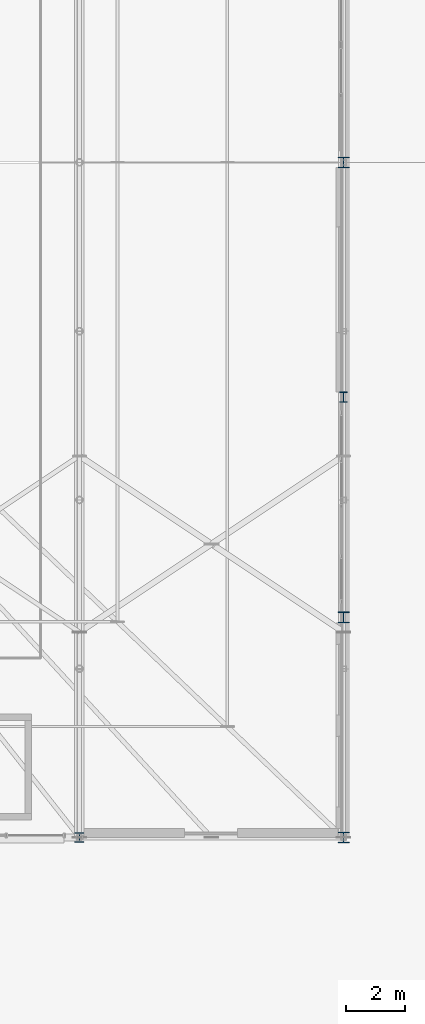
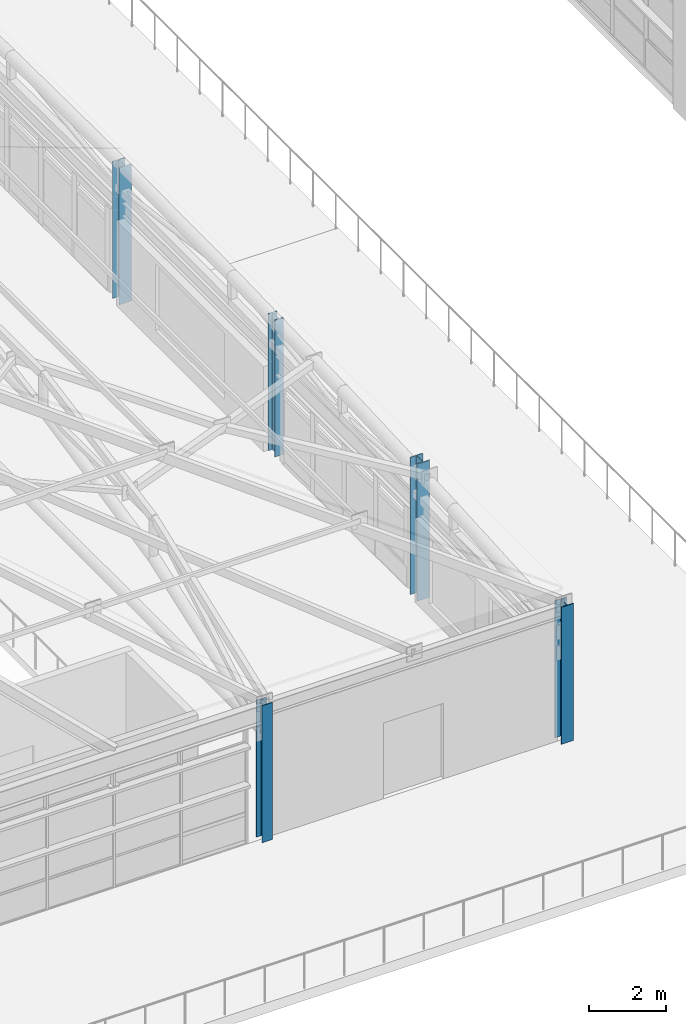
# One storey, part 4 of 168: 5 columns.
"""IFC4 building model written with IfcOpenShell, lengths in metres."""

from ifc_helpers import new_model, si_unit, direction, frame, origin, origin_2d, place, context, subcontext, project, spatial, i_section, extrude, material, material_profile, profile_set, type_object, element, save


model = new_model("IFC4")

# Units and contexts
model_context = context("Model", 3, precision=1e-05, world=origin(), true_north=direction((0.0, 1.0)))
body_context = subcontext(model_context, "Body", "Model", "MODEL_VIEW")
ifc_project = project(units=[si_unit("LENGTHUNIT", "METRE"), si_unit("AREAUNIT", "SQUARE_METRE"), si_unit("VOLUMEUNIT", "CUBIC_METRE"), si_unit("PLANEANGLEUNIT", "RADIAN"), si_unit("MASSUNIT", "GRAM", prefix="KILO"), si_unit("THERMODYNAMICTEMPERATUREUNIT", "KELVIN"), si_unit("POWERUNIT", "WATT")], contexts=[model_context])

# Site, building, storey
site_placement = place(None, origin())
site = spatial("IfcSite", under=ifc_project, at=site_placement, CompositionType="ELEMENT")
building_placement = place(site_placement, origin())
building = spatial("IfcBuilding", under=site, at=building_placement, Name="Tepalcoro Natatorium and Aquatics Centre", CompositionType="ELEMENT")
storey_placement = place(building_placement, frame((0.0, 0.0, 10.199951171875)))
storey = spatial("IfcBuildingStorey", under=building, at=storey_placement, Name="L02", CompositionType="ELEMENT", Elevation=10.199951171875)

# Columns
ifc_material = material(Name="Steel ASTM A992 Grade 50 (Fy 345 MPa)", Category="steel")
ifc_material_profile_1 = material_profile(ifc_material, i_section(OverallWidth=0.306884765625, OverallDepth=0.31494140625, WebThickness=0.011962890625, FlangeThickness=0.01904296875, FilletRadius=0.013916015625, at=origin_2d()), Name="W12X79")
ifc_profile_set_1 = profile_set([ifc_material_profile_1], Name="Steel ASTM A992 Grade 50 (Fy 345 MPa)")
column_type_1 = type_object("IfcColumnType", Name="COL_W12x79", PredefinedType="COLUMN", material=ifc_profile_set_1)
column_1_placement = place(storey_placement, frame((116.0, 13.0, 0.0), z_axis=(0.0, 0.0, 1.0), x_axis=(1.0, 0.0, 0.0)))
element("IfcColumn", 1, at=column_1_placement, inside=storey, type_object=column_type_1, Name="V1 L02 Grid Column (116.0, 13.0)", PredefinedType="COLUMN", context=body_context, shape_type="SweptSolid", body=[
    extrude(i_section(OverallWidth=0.306884765625, OverallDepth=0.31494140625, WebThickness=0.011962890625, FlangeThickness=0.01904296875, FilletRadius=0.013916015625, at=origin_2d()), origin(), (0.0, 0.0, 1.0), 4.35009765625),
])
ifc_material_profile_2 = material_profile(ifc_material, i_section(OverallWidth=0.37109375, OverallDepth=0.363037109375, WebThickness=0.012939453125, FlangeThickness=0.02197265625, FilletRadius=0.013916015625, at=origin_2d()), Name="W14X109")
ifc_profile_set_2 = profile_set([ifc_material_profile_2], Name="Steel ASTM A992 Grade 50 (Fy 345 MPa)")
column_type_2 = type_object("IfcColumnType", Name="COL_W14x109", PredefinedType="COLUMN", material=ifc_profile_set_2)
column_2_placement = place(storey_placement, frame((125.0, 13.0, 0.0), z_axis=(0.0, 0.0, 1.0), x_axis=(1.0, 0.0, 0.0)))
element("IfcColumn", 2, at=column_2_placement, inside=storey, type_object=column_type_2, Name="V1 L02 Grid Column (125.0, 13.0)", PredefinedType="COLUMN", context=body_context, shape_type="SweptSolid", body=[
    extrude(i_section(OverallWidth=0.37109375, OverallDepth=0.363037109375, WebThickness=0.012939453125, FlangeThickness=0.02197265625, FilletRadius=0.013916015625, at=origin_2d()), origin(), (0.0, 0.0, 1.0), 4.35009765625),
])
ifc_material_profile_3 = material_profile(ifc_material, i_section(OverallWidth=0.3740234375, OverallDepth=0.373046875, WebThickness=0.01611328125, FlangeThickness=0.02587890625, FilletRadius=0.013916015625, at=origin_2d()), Name="W14X132")
ifc_profile_set_3 = profile_set([ifc_material_profile_3], Name="Steel ASTM A992 Grade 50 (Fy 345 MPa)")
column_type_3 = type_object("IfcColumnType", Name="COL_W14x132", PredefinedType="COLUMN", material=ifc_profile_set_3)
column_3_placement = place(storey_placement, frame((125.0, 20.5, 0.0), z_axis=(0.0, 0.0, 1.0), x_axis=(1.0, 0.0, 0.0)))
element("IfcColumn", 3, at=column_3_placement, inside=storey, type_object=column_type_3, Name="V1 L02 Grid Column (125.0, 20.5)", PredefinedType="COLUMN", context=body_context, shape_type="SweptSolid", body=[
    extrude(i_section(OverallWidth=0.3740234375, OverallDepth=0.373046875, WebThickness=0.01611328125, FlangeThickness=0.02587890625, FilletRadius=0.013916015625, at=origin_2d()), origin(), (0.0, 0.0, 1.0), 4.35009765625),
])
ifc_material_profile_4 = material_profile(ifc_material, i_section(OverallWidth=0.25390625, OverallDepth=0.35595703125, WebThickness=0.010986328125, FlangeThickness=0.01806640625, FilletRadius=0.013916015625, at=origin_2d()), Name="W14X68")
ifc_profile_set_4 = profile_set([ifc_material_profile_4], Name="Steel ASTM A992 Grade 50 (Fy 345 MPa)")
column_type_4 = type_object("IfcColumnType", Name="COL_W14x68", PredefinedType="COLUMN", material=ifc_profile_set_4)
column_4_placement = place(storey_placement, frame((125.0, 28.0, 0.0), z_axis=(0.0, 0.0, 1.0), x_axis=(1.0, 0.0, 0.0)))
element("IfcColumn", 4, at=column_4_placement, inside=storey, type_object=column_type_4, Name="V1 L02 Grid Column (125.0, 28.0)", PredefinedType="COLUMN", context=body_context, shape_type="SweptSolid", body=[
    extrude(i_section(OverallWidth=0.25390625, OverallDepth=0.35595703125, WebThickness=0.010986328125, FlangeThickness=0.01806640625, FilletRadius=0.013916015625, at=origin_2d()), origin(), (0.0, 0.0, 1.0), 4.35009765625),
])
ifc_material_profile_5 = material_profile(ifc_material, i_section(OverallWidth=0.367919921875, OverallDepth=0.35595703125, WebThickness=0.010986328125, FlangeThickness=0.01806640625, FilletRadius=0.013916015625, at=origin_2d()), Name="W14X90")
ifc_profile_set_5 = profile_set([ifc_material_profile_5], Name="Steel ASTM A992 Grade 50 (Fy 345 MPa)")
column_type_5 = type_object("IfcColumnType", Name="COL_W14x90", PredefinedType="COLUMN", material=ifc_profile_set_5)
column_5_placement = place(storey_placement, frame((125.0, 36.0, 0.0), z_axis=(0.0, 0.0, 1.0), x_axis=(1.0, 0.0, 0.0)))
element("IfcColumn", 5, at=column_5_placement, inside=storey, type_object=column_type_5, Name="V1 L02 Grid Column (125.0, 36.0)", PredefinedType="COLUMN", context=body_context, shape_type="SweptSolid", body=[
    extrude(i_section(OverallWidth=0.367919921875, OverallDepth=0.35595703125, WebThickness=0.010986328125, FlangeThickness=0.01806640625, FilletRadius=0.013916015625, at=origin_2d()), origin(), (0.0, 0.0, 1.0), 4.35009765625),
])

save(model, "model.ifc")
